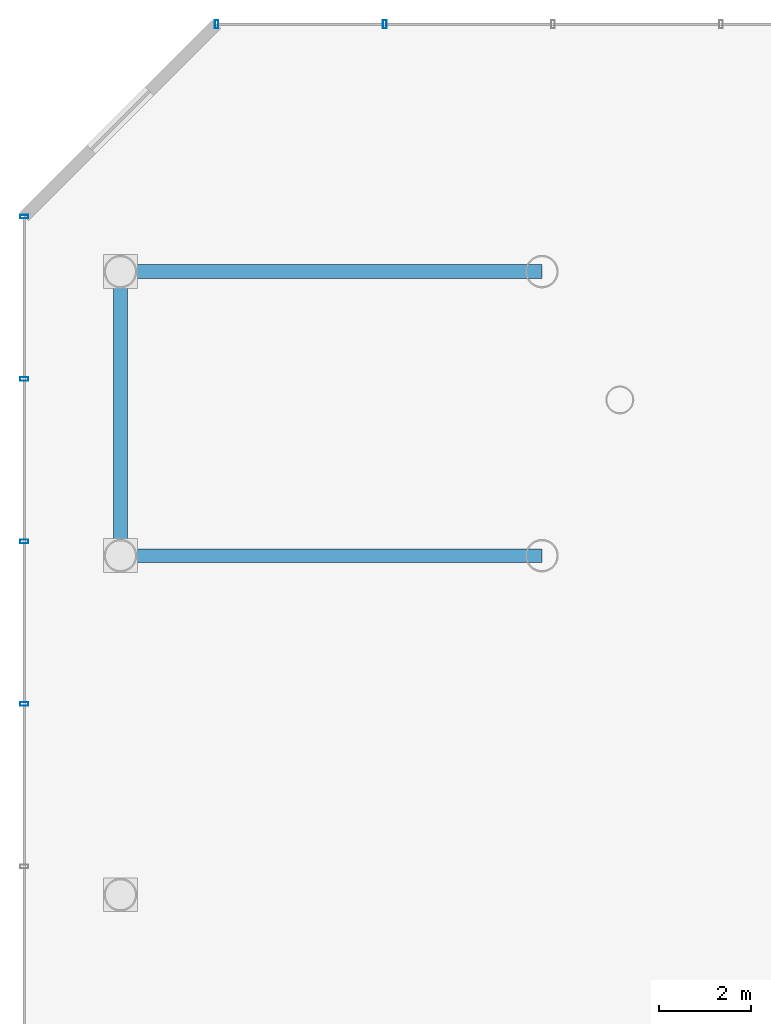
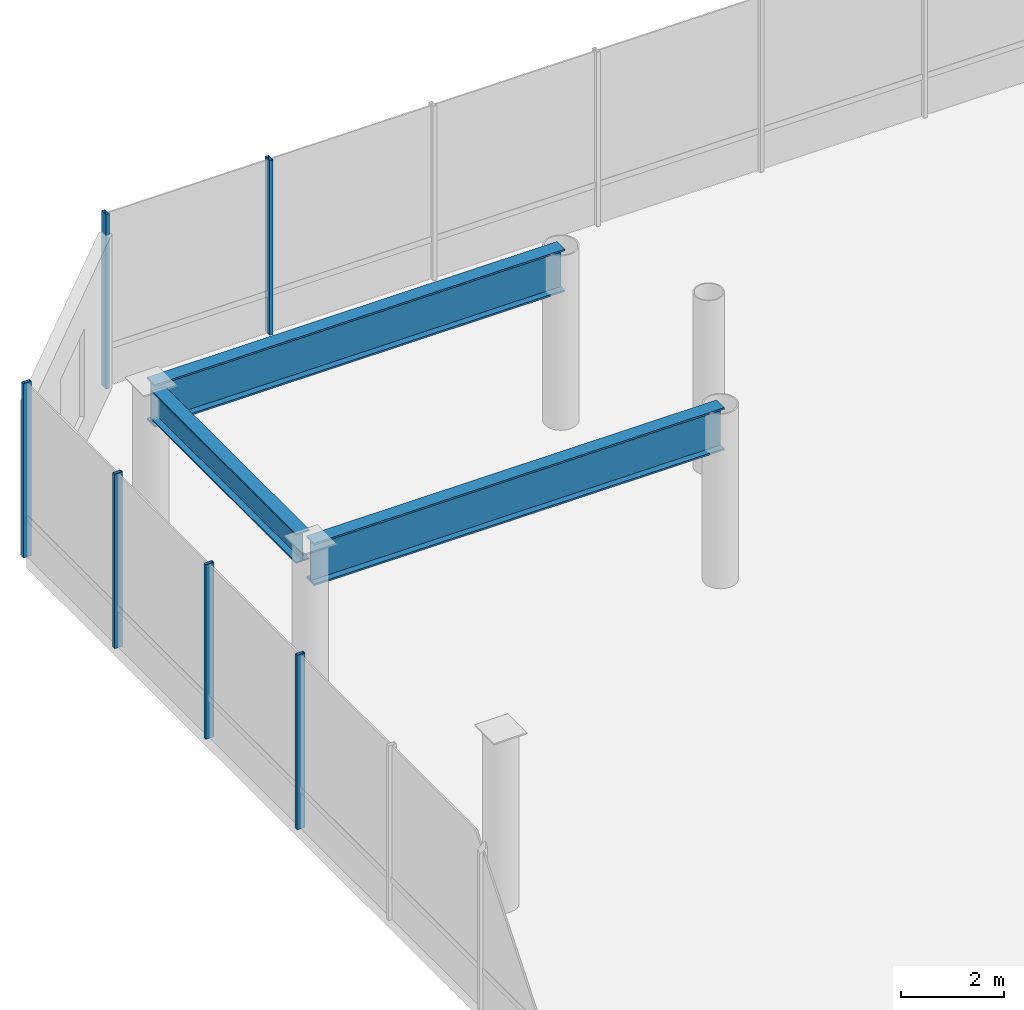
# One storey, part 18 of 43: 6 members, 3 beams, 2 elements without a shape of their own.
"""IFC4 building model written with IfcOpenShell, lengths in metres."""

from ifc_helpers import new_model, si_unit, direction, frame, origin, origin_2d, place, context, subcontext, project, spatial, hollow_rectangle, i_section, extrude, material, layer, layer_set, material_profile, profile_set, type_object, element, aggregate, save


model = new_model("IFC4")

# Units and contexts
model_context = context("Model", 3, precision=1e-05, world=origin(), true_north=direction((0.0, 1.0)))
body_context = subcontext(model_context, "Body", "Model", "MODEL_VIEW")
ifc_project = project(units=[si_unit("LENGTHUNIT", "METRE"), si_unit("AREAUNIT", "SQUARE_METRE"), si_unit("VOLUMEUNIT", "CUBIC_METRE"), si_unit("PLANEANGLEUNIT", "RADIAN"), si_unit("MASSUNIT", "GRAM", prefix="KILO")], contexts=[model_context])

# Site, building, storey
site_placement = place(None, origin())
site = spatial("IfcSite", under=ifc_project, at=site_placement, CompositionType="ELEMENT")
building_placement = place(site_placement, origin())
building = spatial("IfcBuilding", under=site, at=building_placement, Name="Zarrinselat Tower", CompositionType="ELEMENT")
storey_placement = place(building_placement, frame((0.0, 0.0, 5.10009765625)))
storey = spatial("IfcBuildingStorey", under=building, at=storey_placement, Name="L01", CompositionType="ELEMENT", Elevation=5.10009765625)

# Beams
ifc_material_1 = material(Name="Steel S355J2", Category="steel")
ifc_material_profile_1 = material_profile(ifc_material_1, i_section(OverallWidth=0.300048828125, OverallDepth=0.699951171875, WebThickness=0.01708984375, FlangeThickness=0.031982421875, at=origin_2d()), Name="HEB 700")
ifc_profile_set_1 = profile_set([ifc_material_profile_1], Name="Steel S355J2")
beam_type_1 = type_object("IfcBeamType", Name="BM-HEB700", PredefinedType="SPANDREL", material=ifc_profile_set_1)
beam_placement = place(storey_placement, frame((-0.39990234375, 40.89990234375, 3.789794921875), z_axis=(0.0, 1.0, 0.0), x_axis=(-1.0, 0.0, 0.0)))
element("IfcBeam", 1, at=beam_placement, inside=storey, type_object=beam_type_1, Name="L01 Podium Perimeter Beam W-40", PredefinedType="SPANDREL", context=body_context, shape_type="SweptSolid", body=[
    extrude(i_section(OverallWidth=0.300048828125, OverallDepth=0.699951171875, WebThickness=0.01708984375, FlangeThickness=0.031982421875, at=origin_2d()), origin(), (0.0, 0.0, 1.0), 5.60009765625),
])
ifc_material_2 = material(Name="Steel S460M", Category="steel")
ifc_material_profile_2 = material_profile(ifc_material_2, i_section(OverallWidth=0.302001953125, OverallDepth=1.008056640625, WebThickness=0.02099609375, FlangeThickness=0.0400390625, at=origin_2d()), Name="HEM 1000")
ifc_profile_set_2 = profile_set([ifc_material_profile_2], Name="Steel S460M")
beam_type_2 = type_object("IfcBeamType", Name="BM-PDTR-HEM1000", PredefinedType="BEAM", material=ifc_profile_set_2)
for number, where, z_axis, x_axis, name in (
    (2, (-0.39990234375, 40.60009765625, 3.635986328125), (1.0, 0.0, 0.0), (0.0, 1.0, 0.0), "L01 Podium Transfer Girder W-40"),
    (3, (-0.39990234375, 46.800048828125, 3.635986328125), (1.0, 0.0, 0.0), (0.0, 1.0, 0.0), "L01 Podium Transfer Girder W-46"),
):
    element("IfcBeam", number, at=place(storey_placement, frame(where, z_axis=z_axis, x_axis=x_axis)), inside=storey, type_object=beam_type_2, Name=name, PredefinedType="BEAM", context=body_context, shape_type="SweptSolid", body=[
        extrude(i_section(OverallWidth=0.302001953125, OverallDepth=1.008056640625, WebThickness=0.02099609375, FlangeThickness=0.0400390625, at=origin_2d()), origin(), (0.0, 0.0, 1.0), 9.199951171875),
    ])

# Curtain wall, members
ifc_material_3 = material(Name="Extruded Aluminium Alloy EN AW-6063 T6", Category="aluminium")
ifc_layer = layer(ifc_material_3, 0.2099609375)
ifc_layer_set = layer_set([ifc_layer], Name="Extruded Aluminium Alloy EN AW-6063 T6")
curtain_wall_type = type_object("IfcCurtainWallType", Name="CWS-POD", PredefinedType="NOTDEFINED", material=ifc_layer_set)
curtain_wall_1_placement = place(storey_placement, origin())
curtain_wall_1 = element("IfcCurtainWall", 4, at=curtain_wall_1_placement, inside=storey, type_object=curtain_wall_type, Name="L01 Unitised Curtain Wall CW-L01-F5", PredefinedType="NOTDEFINED")
ifc_material_4 = material(Name="Extruded Aluminium Alloy EN AW-6063 T6", Category="aluminium")
ifc_material_profile_3 = material_profile(ifc_material_4, hollow_rectangle(XDim=0.080078125, YDim=0.179931640625, WallThickness=0.0048828125, at=origin_2d()), Name="RHS 180x80x5")
ifc_profile_set_3 = profile_set([ifc_material_profile_3], Name="Extruded Aluminium Alloy EN AW-6063 T6")
member_type = type_object("IfcMemberType", Name="MEM-CW-MUL", PredefinedType="MULLION", material=ifc_profile_set_3)
member_1_placement = place(storey_placement, frame((5.3701171875, 52.199951171875, 0.0), z_axis=(0.0, 0.0, 1.0), x_axis=(-1.0, 0.0, 0.0)))
member_1 = element("IfcMember", 5, at=member_1_placement, type_object=member_type, Name="CW-L01-F5 Mullion 19", PredefinedType="MULLION", context=body_context, shape_type="SweptSolid", body=[
    extrude(hollow_rectangle(XDim=0.080078125, YDim=0.179931640625, WallThickness=0.0048828125, at=origin_2d()), origin(), (0.0, 0.0, 1.0), 4.139892578125),
])
member_2_placement = place(storey_placement, frame((1.699951171875, 52.199951171875, 0.0), z_axis=(0.0, 0.0, 1.0), x_axis=(-1.0, 0.0, 0.0)))
member_2 = element("IfcMember", 6, at=member_2_placement, type_object=member_type, Name="CW-L01-F5 Mullion 20", PredefinedType="MULLION", context=body_context, shape_type="SweptSolid", body=[
    extrude(hollow_rectangle(XDim=0.080078125, YDim=0.179931640625, WallThickness=0.0048828125, at=origin_2d()), origin(), (0.0, 0.0, 1.0), 4.139892578125),
])
aggregate(curtain_wall_1, [member_1, member_2])

curtain_wall_2_placement = place(storey_placement, origin())
curtain_wall_2 = element("IfcCurtainWall", 7, at=curtain_wall_2_placement, inside=storey, type_object=curtain_wall_type, Name="L01 Unitised Curtain Wall CW-L01-F7", PredefinedType="NOTDEFINED")
member_3_placement = place(storey_placement, frame((-2.5, 48.0, 0.0), z_axis=(0.0, 0.0, 1.0), x_axis=(0.0, -1.0, 0.0)))
member_3 = element("IfcMember", 8, at=member_3_placement, type_object=member_type, Name="CW-L01-F7 Mullion 0", PredefinedType="MULLION", context=body_context, shape_type="SweptSolid", body=[
    extrude(hollow_rectangle(XDim=0.080078125, YDim=0.179931640625, WallThickness=0.0048828125, at=origin_2d()), origin(), (0.0, 0.0, 1.0), 4.139892578125),
])
member_4_placement = place(storey_placement, frame((-2.5, 44.45458984375, 0.0), z_axis=(0.0, 0.0, 1.0), x_axis=(0.0, -1.0, 0.0)))
member_4 = element("IfcMember", 9, at=member_4_placement, type_object=member_type, Name="CW-L01-F7 Mullion 1", PredefinedType="MULLION", context=body_context, shape_type="SweptSolid", body=[
    extrude(hollow_rectangle(XDim=0.080078125, YDim=0.179931640625, WallThickness=0.0048828125, at=origin_2d()), origin(), (0.0, 0.0, 1.0), 4.139892578125),
])
member_5_placement = place(storey_placement, frame((-2.5, 40.9091796875, 0.0), z_axis=(0.0, 0.0, 1.0), x_axis=(0.0, -1.0, 0.0)))
member_5 = element("IfcMember", 10, at=member_5_placement, type_object=member_type, Name="CW-L01-F7 Mullion 2", PredefinedType="MULLION", context=body_context, shape_type="SweptSolid", body=[
    extrude(hollow_rectangle(XDim=0.080078125, YDim=0.179931640625, WallThickness=0.0048828125, at=origin_2d()), origin(), (0.0, 0.0, 1.0), 4.139892578125),
])
member_6_placement = place(storey_placement, frame((-2.5, 37.363525390625, 0.0), z_axis=(0.0, 0.0, 1.0), x_axis=(0.0, -1.0, 0.0)))
member_6 = element("IfcMember", 11, at=member_6_placement, type_object=member_type, Name="CW-L01-F7 Mullion 3", PredefinedType="MULLION", context=body_context, shape_type="SweptSolid", body=[
    extrude(hollow_rectangle(XDim=0.080078125, YDim=0.179931640625, WallThickness=0.0048828125, at=origin_2d()), origin(), (0.0, 0.0, 1.0), 4.139892578125),
])
aggregate(curtain_wall_2, [member_3, member_4, member_5, member_6])

save(model, "model.ifc")
